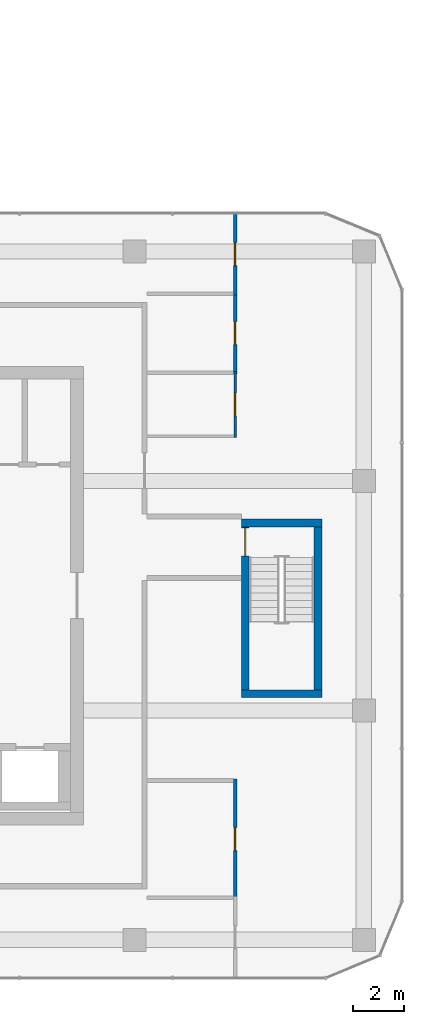
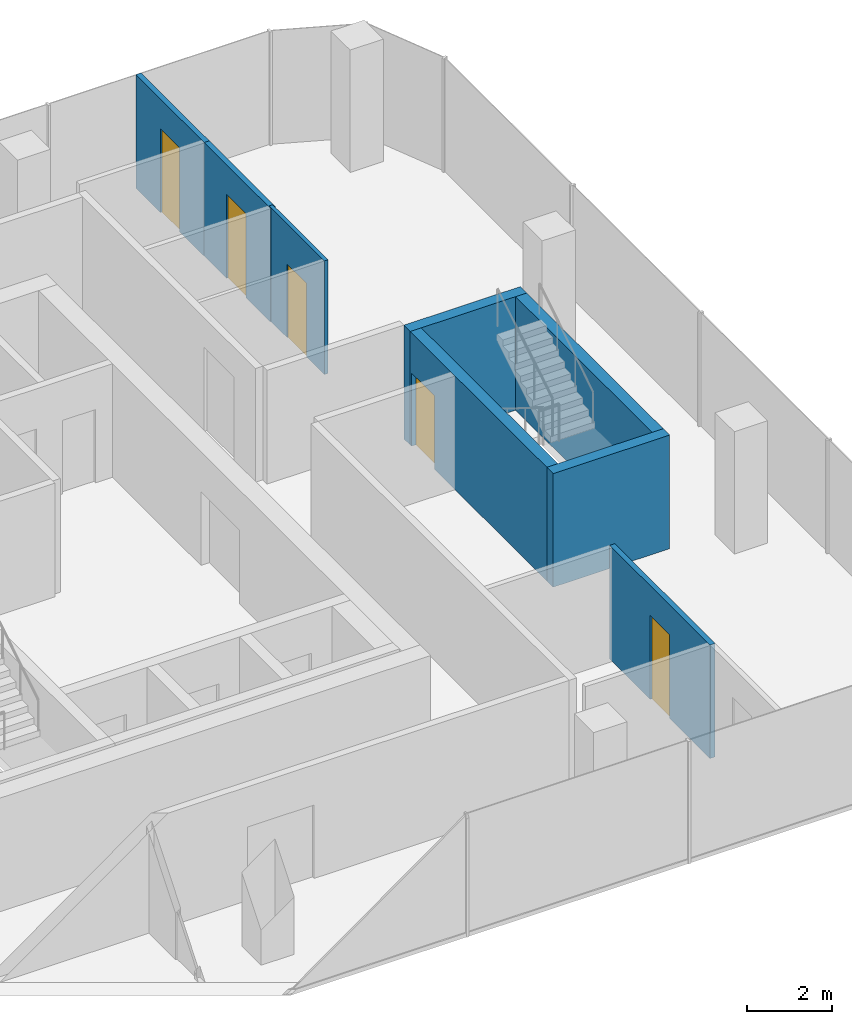
# One storey, part 20 of 24: 8 walls, 5 doors, 5 openings.
"""IFC4 building model written with IfcOpenShell, lengths in metres."""

from ifc_helpers import new_model, si_unit, direction, frame, frame_2d, origin, place, context, subcontext, project, spatial, rectangle, extrude, material, layer, layer_set, type_object, element, fill, save


model = new_model("IFC4")

# Units and contexts
model_context = context("Model", 3, precision=1e-05, world=origin(), true_north=direction((0.0, 1.0)))
body_context = subcontext(model_context, "Body", "Model", "MODEL_VIEW")
ifc_project = project(units=[si_unit("LENGTHUNIT", "METRE"), si_unit("AREAUNIT", "SQUARE_METRE"), si_unit("VOLUMEUNIT", "CUBIC_METRE"), si_unit("PLANEANGLEUNIT", "RADIAN"), si_unit("MASSUNIT", "GRAM", prefix="KILO")], contexts=[model_context])

# Site, building, storey
site_placement = place(None, origin())
site = spatial("IfcSite", under=ifc_project, at=site_placement, CompositionType="ELEMENT")
building_placement = place(site_placement, origin())
building = spatial("IfcBuilding", under=site, at=building_placement, Name="Plateau Cross Towers", CompositionType="ELEMENT")
storey_placement = place(building_placement, frame((0.0, 0.0, 47.800048828125)))
storey = spatial("IfcBuildingStorey", under=building, at=storey_placement, Name="L11", CompositionType="ELEMENT", Elevation=47.800048828125)

# Wall, opening, door
ifc_material_1 = material(Name="Concrete C60/75", Category="concrete")
ifc_layer_1 = layer(ifc_material_1, 0.300048828125)
ifc_layer_set_1 = layer_set([ifc_layer_1], Name="Concrete C60/75")
wall_type_1 = type_object("IfcWallType", Name="Core shaft wall 300", PredefinedType="SHEAR", material=ifc_layer_set_1)
wall_1_placement = place(storey_placement, frame((95.85009765625, 5.300048828125, 0.0), z_axis=(0.0, 0.0, 1.0), x_axis=(0.0, 1.0, 0.0)))
wall_1 = element("IfcWall", 1, at=wall_1_placement, inside=storey, type_object=wall_type_1, Name="B-sb3-W@L11", PredefinedType="SHEAR", context=body_context, shape_type="SweptSolid", body=[
    extrude(rectangle(XDim=6.39990234375, YDim=0.300048828125, at=frame_2d((3.199951171875, 0.0))), origin(), (0.0, 0.0, 1.0), 3.25),
])
opening_1_placement = place(wall_1_placement, frame((5.25, 0.0, 0.0)))
opening_1 = element("IfcOpeningElement", 2, at=opening_1_placement, cuts=wall_1, Name="Opening SD", PredefinedType="OPENING", context=body_context, shape_type="SweptSolid", body=[
    extrude(rectangle(XDim=1.10009765625, YDim=2.10009765625, at=frame_2d((0.550048828125, 1.050048828125))), frame((0.0, 0.159912109375, 0.0), z_axis=(0.0, -1.0, 0.0), x_axis=(1.0, 0.0, 0.0)), (0.0, 0.0, 1.0), 0.320068359375),
])
ifc_material_2 = material(Name="Steel, fire-resisting leaf", Category="steel")
door_type_1 = type_object("IfcDoorType", Name="Stair door 1100", OperationType="NOTDEFINED", PredefinedType="DOOR", material=ifc_material_2)
door_1_placement = place(opening_1_placement, origin())
door_1 = element("IfcDoor", 3, at=door_1_placement, inside=storey, type_object=door_type_1, Name="Stair door SD", OperationType="SINGLE_SWING_LEFT", OverallHeight=2.10009765625, OverallWidth=1.10009765625, PredefinedType="DOOR", context=body_context, shape_type="SweptSolid", body=[
    extrude(rectangle(XDim=1.10009765625, YDim=2.10009765625, at=frame_2d((0.550048828125, 1.050048828125))), frame((0.0, 0.02490234375, 0.0), z_axis=(0.0, -1.0, 0.0), x_axis=(1.0, 0.0, 0.0)), (0.0, 0.0, 1.0), 0.050048828125),
])
fill(opening_1, door_1)

# Walls
wall_2_placement = place(storey_placement, frame((98.699951171875, 5.300048828125, 0.0), z_axis=(0.0, 0.0, 1.0), x_axis=(0.0, 1.0, 0.0)))
element("IfcWall", 4, at=wall_2_placement, inside=storey, type_object=wall_type_1, Name="B-sb3-E@L11", PredefinedType="SHEAR", context=body_context, shape_type="SweptSolid", body=[
    extrude(rectangle(XDim=6.39990234375, YDim=0.300048828125, at=frame_2d((3.199951171875, 0.0))), origin(), (0.0, 0.0, 1.0), 3.25),
])
for number, where, z_axis, x_axis, name in (
    (5, (95.699951171875, 5.14990234375, 0.0), (0.0, 0.0, 1.0), (1.0, 0.0, 0.0), "B-sb3-S@L11"),
    (6, (95.699951171875, 11.85009765625, 0.0), (0.0, 0.0, 1.0), (1.0, 0.0, 0.0), "B-sb3-N@L11"),
):
    element("IfcWall", number, at=place(storey_placement, frame(where, z_axis=z_axis, x_axis=x_axis)), inside=storey, type_object=wall_type_1, Name=name, PredefinedType="SHEAR", context=body_context, shape_type="SweptSolid", body=[
        extrude(rectangle(XDim=3.150146484375, YDim=0.300048828125, at=frame_2d((1.5751953125, 0.0))), origin(), (0.0, 0.0, 1.0), 3.25),
    ])

# Wall, opening, door
ifc_material_3 = material(Name="Gypsum board on staggered steel studs, mineral wool, two layers each side", Category="steel")
ifc_layer_2 = layer(ifc_material_3, 0.139892578125)
ifc_layer_set_2 = layer_set([ifc_layer_2], Name="Gypsum board on staggered steel studs, mineral wool, two layers each side")
wall_type_2 = type_object("IfcWallType", Name="Meeting room acoustic partition 140", PredefinedType="PARTITIONING", material=ifc_layer_set_2)
wall_3_placement = place(storey_placement, frame((95.449951171875, -2.89990234375, 0.0), z_axis=(0.0, 0.0, 1.0), x_axis=(0.0, 1.0, 0.0)))
wall_3 = element("IfcWall", 7, at=wall_3_placement, inside=storey, type_object=wall_type_2, Name="Acoustic wall", PredefinedType="PARTITIONING", context=body_context, shape_type="SweptSolid", body=[
    extrude(rectangle(XDim=4.699951171875, YDim=0.139892578125, at=frame_2d((2.35009765625, 0.0))), origin(), (0.0, 0.0, 1.0), 3.25),
])
opening_2_placement = place(wall_3_placement, frame((1.89990234375, 0.0, 0.0)))
opening_2 = element("IfcOpeningElement", 8, at=opening_2_placement, cuts=wall_3, Name="Opening D-BM9", PredefinedType="OPENING", context=body_context, shape_type="SweptSolid", body=[
    extrude(rectangle(XDim=0.89990234375, YDim=2.39990234375, at=frame_2d((0.449951171875, 1.199951171875))), frame((0.0, 0.079833984375, 0.0), z_axis=(0.0, -1.0, 0.0), x_axis=(1.0, 0.0, 0.0)), (0.0, 0.0, 1.0), 0.159912109375),
])
ifc_material_4 = material(Name="Timber leaf, full height", Category="wood")
door_type_2 = type_object("IfcDoorType", Name="Meeting room door 900x2400", OperationType="NOTDEFINED", PredefinedType="DOOR", material=ifc_material_4)
door_2_placement = place(opening_2_placement, origin())
door_2 = element("IfcDoor", 9, at=door_2_placement, inside=storey, type_object=door_type_2, Name="Door D-BM9", OperationType="SINGLE_SWING_LEFT", OverallHeight=2.39990234375, OverallWidth=0.89990234375, PredefinedType="DOOR", context=body_context, shape_type="SweptSolid", body=[
    extrude(rectangle(XDim=0.89990234375, YDim=2.39990234375, at=frame_2d((0.449951171875, 1.199951171875))), frame((0.0, 0.02490234375, 0.0), z_axis=(0.0, -1.0, 0.0), x_axis=(1.0, 0.0, 0.0)), (0.0, 0.0, 1.0), 0.050048828125),
])
fill(opening_2, door_2)

wall_4_placement = place(storey_placement, frame((95.449951171875, 20.800048828125, 0.0), z_axis=(0.0, 0.0, 1.0), x_axis=(0.0, 1.0, 0.0)))
wall_4 = element("IfcWall", 10, at=wall_4_placement, inside=storey, type_object=wall_type_2, Name="Acoustic wall", PredefinedType="PARTITIONING", context=body_context, shape_type="SweptSolid", body=[
    extrude(rectangle(XDim=3.199951171875, YDim=0.139892578125, at=frame_2d((1.60009765625, 0.0))), origin(), (0.0, 0.0, 1.0), 3.25),
])
opening_3_placement = place(wall_4_placement, frame((1.14990234375, 0.0, 0.0)))
opening_3 = element("IfcOpeningElement", 11, at=opening_3_placement, cuts=wall_4, Name="Opening D-BM9", PredefinedType="OPENING", context=body_context, shape_type="SweptSolid", body=[
    extrude(rectangle(XDim=0.89990234375, YDim=2.39990234375, at=frame_2d((0.449951171875, 1.199951171875))), frame((0.0, 0.079833984375, 0.0), z_axis=(0.0, -1.0, 0.0), x_axis=(1.0, 0.0, 0.0)), (0.0, 0.0, 1.0), 0.159912109375),
])
door_3_placement = place(opening_3_placement, origin())
door_3 = element("IfcDoor", 12, at=door_3_placement, inside=storey, type_object=door_type_2, Name="Door D-BM9", OperationType="SINGLE_SWING_LEFT", OverallHeight=2.39990234375, OverallWidth=0.89990234375, PredefinedType="DOOR", context=body_context, shape_type="SweptSolid", body=[
    extrude(rectangle(XDim=0.89990234375, YDim=2.39990234375, at=frame_2d((0.449951171875, 1.199951171875))), frame((0.0, 0.02490234375, 0.0), z_axis=(0.0, -1.0, 0.0), x_axis=(1.0, 0.0, 0.0)), (0.0, 0.0, 1.0), 0.050048828125),
])
fill(opening_3, door_3)

wall_5_placement = place(storey_placement, frame((95.449951171875, 17.699951171875, 0.0), z_axis=(0.0, 0.0, 1.0), x_axis=(0.0, 1.0, 0.0)))
wall_5 = element("IfcWall", 13, at=wall_5_placement, inside=storey, type_object=wall_type_2, Name="Acoustic wall", PredefinedType="PARTITIONING", context=body_context, shape_type="SweptSolid", body=[
    extrude(rectangle(XDim=3.199951171875, YDim=0.139892578125, at=frame_2d((1.60009765625, 0.0))), origin(), (0.0, 0.0, 1.0), 3.25),
])
opening_4_placement = place(wall_5_placement, frame((1.14990234375, 0.0, 0.0)))
opening_4 = element("IfcOpeningElement", 14, at=opening_4_placement, cuts=wall_5, Name="Opening D-BM9", PredefinedType="OPENING", context=body_context, shape_type="SweptSolid", body=[
    extrude(rectangle(XDim=0.89990234375, YDim=2.39990234375, at=frame_2d((0.449951171875, 1.199951171875))), frame((0.0, 0.079833984375, 0.0), z_axis=(0.0, -1.0, 0.0), x_axis=(1.0, 0.0, 0.0)), (0.0, 0.0, 1.0), 0.159912109375),
])
door_4_placement = place(opening_4_placement, origin())
door_4 = element("IfcDoor", 15, at=door_4_placement, inside=storey, type_object=door_type_2, Name="Door D-BM9", OperationType="SINGLE_SWING_LEFT", OverallHeight=2.39990234375, OverallWidth=0.89990234375, PredefinedType="DOOR", context=body_context, shape_type="SweptSolid", body=[
    extrude(rectangle(XDim=0.89990234375, YDim=2.39990234375, at=frame_2d((0.449951171875, 1.199951171875))), frame((0.0, 0.02490234375, 0.0), z_axis=(0.0, -1.0, 0.0), x_axis=(1.0, 0.0, 0.0)), (0.0, 0.0, 1.0), 0.050048828125),
])
fill(opening_4, door_4)

ifc_material_5 = material(Name="Gypsum board on steel studs", Category="steel")
ifc_layer_3 = layer(ifc_material_5, 0.10009765625)
ifc_layer_set_3 = layer_set([ifc_layer_3], Name="Gypsum board on steel studs")
wall_type_3 = type_object("IfcWallType", Name="Office partition 100", PredefinedType="PARTITIONING", material=ifc_layer_set_3)
wall_6_placement = place(storey_placement, frame((95.449951171875, 15.199951171875, 0.0), z_axis=(0.0, 0.0, 1.0), x_axis=(0.0, 1.0, 0.0)))
wall_6 = element("IfcWall", 16, at=wall_6_placement, inside=storey, type_object=wall_type_3, Name="Part wall", PredefinedType="PARTITIONING", context=body_context, shape_type="SweptSolid", body=[
    extrude(rectangle(XDim=2.60009765625, YDim=0.10009765625, at=frame_2d((1.300048828125, 0.0))), origin(), (0.0, 0.0, 1.0), 3.25),
])
opening_5_placement = place(wall_6_placement, frame((0.85009765625, 0.0, 0.0)))
opening_5 = element("IfcOpeningElement", 17, at=opening_5_placement, cuts=wall_6, Name="Opening D-BR9", PredefinedType="OPENING", context=body_context, shape_type="SweptSolid", body=[
    extrude(rectangle(XDim=0.89990234375, YDim=2.10009765625, at=frame_2d((0.449951171875, 1.050048828125))), frame((0.0, 0.06005859375, 0.0), z_axis=(0.0, -1.0, 0.0), x_axis=(1.0, 0.0, 0.0)), (0.0, 0.0, 1.0), 0.1201171875),
])
ifc_material_6 = material(Name="Timber leaf", Category="wood")
door_type_3 = type_object("IfcDoorType", Name="Office room door 900", OperationType="NOTDEFINED", PredefinedType="DOOR", material=ifc_material_6)
door_5_placement = place(opening_5_placement, origin())
door_5 = element("IfcDoor", 18, at=door_5_placement, inside=storey, type_object=door_type_3, Name="Door D-BR9", OperationType="SINGLE_SWING_LEFT", OverallHeight=2.10009765625, OverallWidth=0.89990234375, PredefinedType="DOOR", context=body_context, shape_type="SweptSolid", body=[
    extrude(rectangle(XDim=0.89990234375, YDim=2.10009765625, at=frame_2d((0.449951171875, 1.050048828125))), frame((0.0, 0.02490234375, 0.0), z_axis=(0.0, -1.0, 0.0), x_axis=(1.0, 0.0, 0.0)), (0.0, 0.0, 1.0), 0.050048828125),
])
fill(opening_5, door_5)

save(model, "model.ifc")
